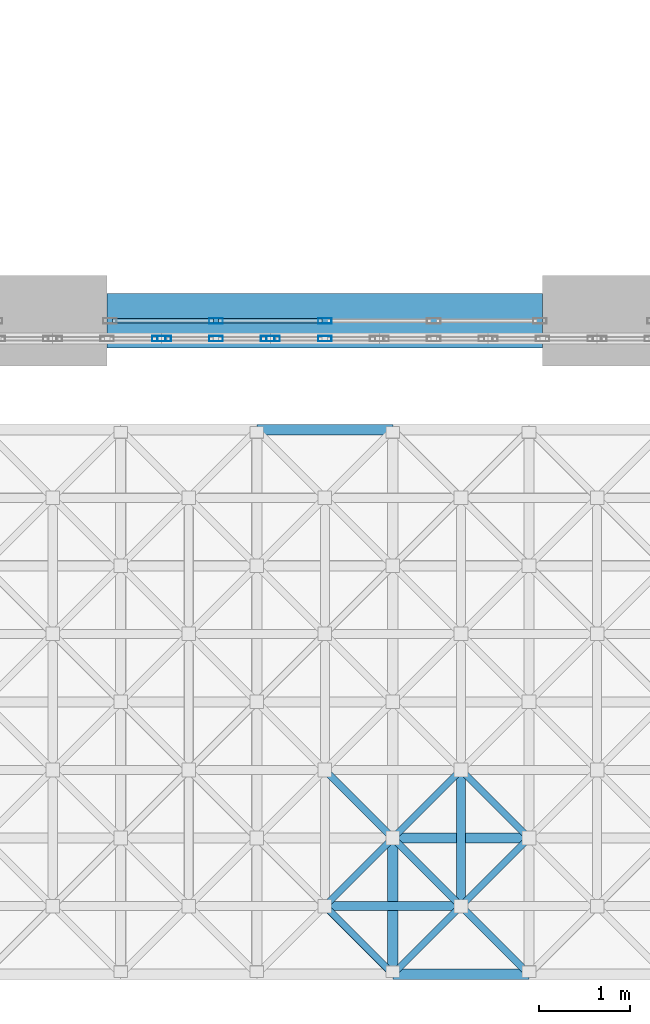
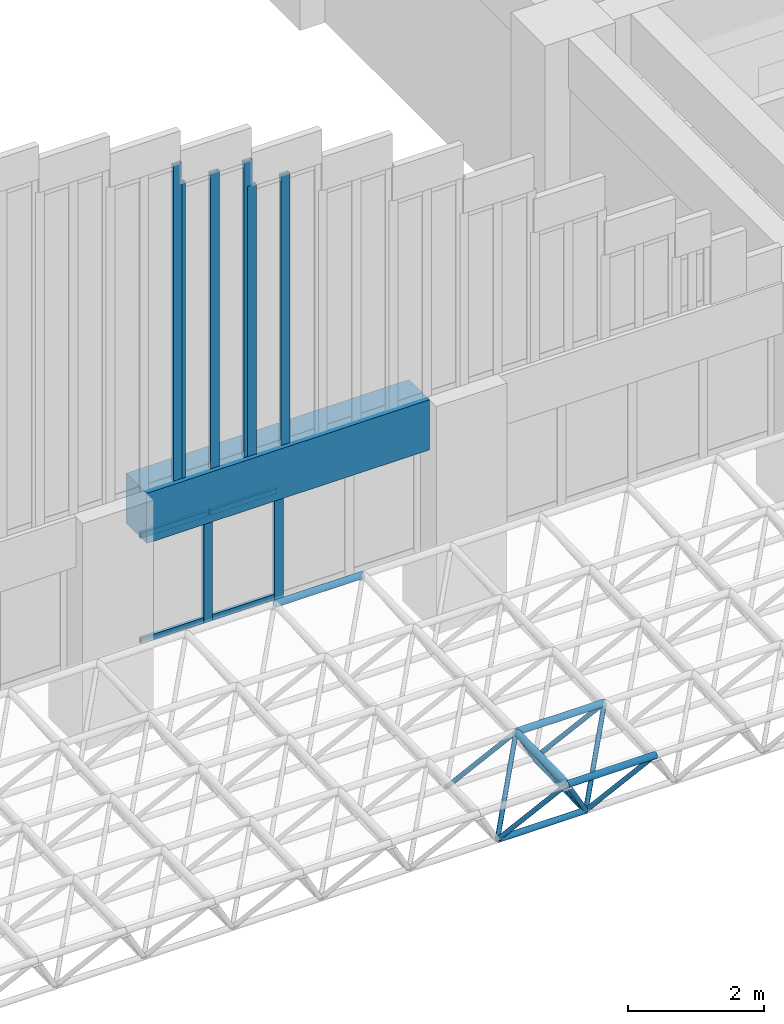
# One storey, part 16 of 103: 27 members, 1 beam, 4 elements without a shape of their own.
"""IFC4 building model written with IfcOpenShell, lengths in metres."""

from ifc_helpers import new_model, si_unit, direction, frame, origin, origin_2d, place, context, subcontext, project, spatial, rectangle, hollow_rectangle, hollow_circle, extrude, material, material_profile, profile_set, type_object, element, aggregate, save


model = new_model("IFC4")

# Units and contexts
model_context = context("Model", 3, precision=1e-05, world=origin(), true_north=direction((0.0, 1.0)))
body_context = subcontext(model_context, "Body", "Model", "MODEL_VIEW")
ifc_project = project(units=[si_unit("LENGTHUNIT", "METRE"), si_unit("AREAUNIT", "SQUARE_METRE"), si_unit("VOLUMEUNIT", "CUBIC_METRE"), si_unit("PLANEANGLEUNIT", "RADIAN"), si_unit("MASSUNIT", "GRAM", prefix="KILO")], contexts=[model_context])

# Site, building, storey
site_placement = place(None, origin())
site = spatial("IfcSite", under=ifc_project, at=site_placement, CompositionType="ELEMENT")
building_placement = place(site_placement, origin())
building = spatial("IfcBuilding", under=site, at=building_placement, Name="Laocheng Heights Fire and Rescue Headquarters", CompositionType="ELEMENT")
storey_placement = place(building_placement, frame((0.0, 0.0, 4.199951171875)))
storey = spatial("IfcBuildingStorey", under=building, at=storey_placement, Name="L01", CompositionType="ELEMENT", Elevation=4.199951171875)

# Curtain wall, members
ifc_material_1 = material(Name="Aluminium gable glazing, low-e double glazing", Category="aluminium")
curtain_wall_type_1 = type_object("IfcCurtainWallType", Name="GABLE SPANDREL GLAZED UNIT 4800 x 1990", PredefinedType="NOTDEFINED", material=ifc_material_1)
curtain_wall_1_placement = place(storey_placement, origin())
curtain_wall_1 = element("IfcCurtainWall", 1, at=curtain_wall_1_placement, inside=storey, type_object=curtain_wall_type_1, Name="Gable spandrel glazing S5", PredefinedType="NOTDEFINED")
ifc_material_2 = material(Name="Aluminium 6063-T5 extrusion", Category="aluminium")
ifc_material_profile_1 = material_profile(ifc_material_2, hollow_rectangle(XDim=0.06005859375, YDim=0.14990234375, WallThickness=0.0029296875, at=origin_2d()), Name="AL MULLION 150x60x3")
ifc_profile_set_1 = profile_set([ifc_material_profile_1], Name="Aluminium 6063-T5 extrusion")
member_type_1 = type_object("IfcMemberType", Name="AL GABLE MULLION 150x60x3", PredefinedType="MULLION", material=ifc_profile_set_1)
member_1_placement = place(storey_placement, frame((43.800048828125, 0.0, 1.199951171875), z_axis=(0.0, 0.0, 1.0), x_axis=(0.0, 1.0, 0.0)))
member_1 = element("IfcMember", 2, at=member_1_placement, type_object=member_type_1, Name="X1-D mullion 2", PredefinedType="MULLION", context=body_context, shape_type="SweptSolid", body=[
    extrude(hollow_rectangle(XDim=0.06005859375, YDim=0.14990234375, WallThickness=0.0029296875, at=origin_2d()), origin(), (0.0, 0.0, 1.0), 1.990478515625),
])
member_2_placement = place(storey_placement, frame((45.0, 0.0, 1.199951171875), z_axis=(0.0, 0.0, 1.0), x_axis=(0.0, 1.0, 0.0)))
member_2 = element("IfcMember", 3, at=member_2_placement, type_object=member_type_1, Name="X1-D mullion 3", PredefinedType="MULLION", context=body_context, shape_type="SweptSolid", body=[
    extrude(hollow_rectangle(XDim=0.06005859375, YDim=0.14990234375, WallThickness=0.0029296875, at=origin_2d()), origin(), (0.0, 0.0, 1.0), 1.990478515625),
])

# Curtain wall, member
ifc_material_3 = material(Name="Aluminium gable glazing, low-e double glazing", Category="aluminium")
curtain_wall_type_2 = type_object("IfcCurtainWallType", Name="GABLE GLAZED UNIT 1200 x 5668", PredefinedType="NOTDEFINED", material=ifc_material_3)
curtain_wall_2_placement = place(storey_placement, origin())
curtain_wall_2 = element("IfcCurtainWall", 4, at=curtain_wall_2_placement, inside=storey, type_object=curtain_wall_type_2, Name="Gable glazing S22", PredefinedType="NOTDEFINED")
member_3_placement = place(storey_placement, frame((43.169921875, -0.196533203125, 4.090576171875), z_axis=(0.0, 0.0, 1.0), x_axis=(0.0, 1.0, 0.0)))
member_3 = element("IfcMember", 5, at=member_3_placement, type_object=member_type_1, Name="X10-D mullion 3", PredefinedType="MULLION", context=body_context, shape_type="SweptSolid", body=[
    extrude(hollow_rectangle(XDim=0.06005859375, YDim=0.14990234375, WallThickness=0.0029296875, at=origin_2d()), origin(), (0.0, 0.0, 1.0), 5.66845703125),
])
aggregate(curtain_wall_2, [member_3])

# Curtain wall, members
ifc_material_4 = material(Name="Aluminium gable glazing, low-e double glazing", Category="aluminium")
curtain_wall_type_3 = type_object("IfcCurtainWallType", Name="GABLE GLAZED UNIT 1200 x 5306", PredefinedType="NOTDEFINED", material=ifc_material_4)
curtain_wall_3_placement = place(storey_placement, origin())
curtain_wall_3 = element("IfcCurtainWall", 6, at=curtain_wall_3_placement, inside=storey, type_object=curtain_wall_type_3, Name="Gable glazing S23", PredefinedType="NOTDEFINED")
member_4_placement = place(storey_placement, frame((43.22998046875, -0.196533203125, 4.090576171875), z_axis=(0.0, 0.0, 1.0), x_axis=(0.0, 1.0, 0.0)))
member_4 = element("IfcMember", 7, at=member_4_placement, type_object=member_type_1, Name="X9-D mullion 1", PredefinedType="MULLION", context=body_context, shape_type="SweptSolid", body=[
    extrude(hollow_rectangle(XDim=0.06005859375, YDim=0.14990234375, WallThickness=0.0029296875, at=origin_2d()), origin(), (0.0, 0.0, 1.0), 5.305419921875),
])
member_5_placement = place(storey_placement, frame((43.800048828125, -0.196533203125, 4.090576171875), z_axis=(0.0, 0.0, 1.0), x_axis=(0.0, 1.0, 0.0)))
member_5 = element("IfcMember", 8, at=member_5_placement, type_object=member_type_1, Name="X9-D mullion 2", PredefinedType="MULLION", context=body_context, shape_type="SweptSolid", body=[
    extrude(hollow_rectangle(XDim=0.06005859375, YDim=0.14990234375, WallThickness=0.0029296875, at=origin_2d()), origin(), (0.0, 0.0, 1.0), 5.305419921875),
])
member_6_placement = place(storey_placement, frame((44.3701171875, -0.196533203125, 4.090576171875), z_axis=(0.0, 0.0, 1.0), x_axis=(0.0, 1.0, 0.0)))
member_6 = element("IfcMember", 9, at=member_6_placement, type_object=member_type_1, Name="X9-D mullion 3", PredefinedType="MULLION", context=body_context, shape_type="SweptSolid", body=[
    extrude(hollow_rectangle(XDim=0.06005859375, YDim=0.14990234375, WallThickness=0.0029296875, at=origin_2d()), origin(), (0.0, 0.0, 1.0), 5.305419921875),
])
aggregate(curtain_wall_3, [member_4, member_5, member_6])

ifc_material_5 = material(Name="Aluminium gable glazing, low-e double glazing", Category="aluminium")
curtain_wall_type_4 = type_object("IfcCurtainWallType", Name="GABLE GLAZED UNIT 1200 x 4846", PredefinedType="NOTDEFINED", material=ifc_material_5)
curtain_wall_4_placement = place(storey_placement, origin())
curtain_wall_4 = element("IfcCurtainWall", 10, at=curtain_wall_4_placement, inside=storey, type_object=curtain_wall_type_4, Name="Gable glazing S24", PredefinedType="NOTDEFINED")
member_7_placement = place(storey_placement, frame((44.429931640625, -0.196533203125, 4.090576171875), z_axis=(0.0, 0.0, 1.0), x_axis=(0.0, 1.0, 0.0)))
member_7 = element("IfcMember", 11, at=member_7_placement, type_object=member_type_1, Name="X8-D mullion 1", PredefinedType="MULLION", context=body_context, shape_type="SweptSolid", body=[
    extrude(hollow_rectangle(XDim=0.06005859375, YDim=0.14990234375, WallThickness=0.0029296875, at=origin_2d()), origin(), (0.0, 0.0, 1.0), 4.845458984375),
])
member_8_placement = place(storey_placement, frame((45.0, -0.196533203125, 4.090576171875), z_axis=(0.0, 0.0, 1.0), x_axis=(0.0, 1.0, 0.0)))
member_8 = element("IfcMember", 12, at=member_8_placement, type_object=member_type_1, Name="X8-D mullion 2", PredefinedType="MULLION", context=body_context, shape_type="SweptSolid", body=[
    extrude(hollow_rectangle(XDim=0.06005859375, YDim=0.14990234375, WallThickness=0.0029296875, at=origin_2d()), origin(), (0.0, 0.0, 1.0), 4.845458984375),
])
aggregate(curtain_wall_4, [member_7, member_8])

# Member
ifc_material_6 = material(Name="Aluminium 6063-T5 extrusion", Category="aluminium")
ifc_material_profile_2 = material_profile(ifc_material_6, hollow_rectangle(XDim=0.050048828125, YDim=0.10009765625, WallThickness=0.0029296875, at=origin_2d()), Name="AL TRANSOM 100x50x3")
ifc_profile_set_2 = profile_set([ifc_material_profile_2], Name="Aluminium 6063-T5 extrusion")
member_type_2 = type_object("IfcMemberType", Name="AL GABLE TRANSOM 100x50x3", PredefinedType="USERDEFINED", material=ifc_profile_set_2)
member_9_placement = place(storey_placement, frame((42.659912109375, 0.0, 1.25), z_axis=(1.0, 0.0, 0.0), x_axis=(0.0, 1.0, 0.0)))
member_9 = element("IfcMember", 13, at=member_9_placement, type_object=member_type_2, Name="X1-D transom 1.1", ObjectType="TRANSOM", PredefinedType="USERDEFINED", context=body_context, shape_type="SweptSolid", body=[
    extrude(hollow_rectangle(XDim=0.050048828125, YDim=0.10009765625, WallThickness=0.0029296875, at=origin_2d()), origin(), (0.0, 0.0, 1.0), 1.110107421875),
])

member_10_placement = place(storey_placement, frame((42.659912109375, 0.0, 3.140625), z_axis=(1.0, 0.0, 0.0), x_axis=(0.0, 1.0, 0.0)))
member_10 = element("IfcMember", 14, at=member_10_placement, type_object=member_type_2, Name="X1-D transom 1.2", ObjectType="TRANSOM", PredefinedType="USERDEFINED", context=body_context, shape_type="SweptSolid", body=[
    extrude(hollow_rectangle(XDim=0.050048828125, YDim=0.10009765625, WallThickness=0.0029296875, at=origin_2d()), origin(), (0.0, 0.0, 1.0), 1.110107421875),
])

member_11_placement = place(storey_placement, frame((43.830078125, 0.0, 1.25), z_axis=(1.0, 0.0, 0.0), x_axis=(0.0, 1.0, 0.0)))
member_11 = element("IfcMember", 15, at=member_11_placement, type_object=member_type_2, Name="X1-D transom 2.1", ObjectType="TRANSOM", PredefinedType="USERDEFINED", context=body_context, shape_type="SweptSolid", body=[
    extrude(hollow_rectangle(XDim=0.050048828125, YDim=0.10009765625, WallThickness=0.0029296875, at=origin_2d()), origin(), (0.0, 0.0, 1.0), 1.139892578125),
])

member_12_placement = place(storey_placement, frame((43.830078125, 0.0, 3.140625), z_axis=(1.0, 0.0, 0.0), x_axis=(0.0, 1.0, 0.0)))
member_12 = element("IfcMember", 16, at=member_12_placement, type_object=member_type_2, Name="X1-D transom 2.2", ObjectType="TRANSOM", PredefinedType="USERDEFINED", context=body_context, shape_type="SweptSolid", body=[
    extrude(hollow_rectangle(XDim=0.050048828125, YDim=0.10009765625, WallThickness=0.0029296875, at=origin_2d()), origin(), (0.0, 0.0, 1.0), 1.139892578125),
])

aggregate(curtain_wall_1, [member_1, member_2, member_9, member_10, member_11, member_12])

# Members
ifc_material_7 = material(Name="Steel Q355B", Category="steel")
ifc_material_profile_3 = material_profile(ifc_material_7, hollow_circle(Radius=0.05078125, WallThickness=0.00390625, at=origin_2d()), Name="CHS 101.6x4")
ifc_profile_set_3 = profile_set([ifc_material_profile_3], Name="Steel Q355B")
member_type_3 = type_object("IfcMemberType", Name="APRON CANOPY BOTTOM CHORD CHS 101.6x4", PredefinedType="CHORD", material=ifc_profile_set_3)
member_13_placement = place(storey_placement, frame((45.0, -6.449951171875, 0.77099609375), z_axis=(1.0, 0.0, 0.0), x_axis=(0.0, 1.0, 0.0)))
element("IfcMember", 17, at=member_13_placement, inside=storey, type_object=member_type_3, Name="Apron canopy bottom chord AC-B082", PredefinedType="CHORD", context=body_context, shape_type="SweptSolid", body=[
    extrude(hollow_circle(Radius=0.05078125, WallThickness=0.00390625, at=origin_2d()), origin(), (0.0, 0.0, 1.0), 1.5),
])
member_14_placement = place(storey_placement, frame((46.5, -4.949951171875, 0.801025390625), z_axis=(0.0, -0.999799669399, -0.020015520725), x_axis=(1.0, 0.0, 0.0)))
element("IfcMember", 18, at=member_14_placement, inside=storey, type_object=member_type_3, Name="Apron canopy bottom chord AC-B139", PredefinedType="CHORD", context=body_context, shape_type="SweptSolid", body=[
    extrude(hollow_circle(Radius=0.05078125, WallThickness=0.00390625, at=origin_2d()), origin(), (0.0, 0.0, 1.0), 1.500244140625),
])
ifc_material_8 = material(Name="Steel Q355B", Category="steel")
ifc_material_profile_4 = material_profile(ifc_material_8, hollow_circle(Radius=0.05712890625, WallThickness=0.0048828125, at=origin_2d()), Name="CHS 114.3x5")
ifc_profile_set_4 = profile_set([ifc_material_profile_4], Name="Steel Q355B")
member_type_4 = type_object("IfcMemberType", Name="APRON CANOPY TOP CHORD CHS 114.3x5", PredefinedType="CHORD", material=ifc_profile_set_4)
for number, where, z_axis, x_axis, name in (
    (19, (44.25, -1.199951171875, 2.075927734375), (1.0, 0.0, 0.0), (0.0, 1.0, 0.0), "Apron canopy top chord AC-T016"),
    (20, (45.75, -5.699951171875, 1.986083984375), (1.0, 0.0, 0.0), (0.0, 1.0, 0.0), "Apron canopy top chord AC-T086"),
    (21, (45.75, -7.199951171875, 1.9560546875), (1.0, 0.0, 0.0), (0.0, 1.0, 0.0), "Apron canopy top chord AC-T109"),
):
    element("IfcMember", number, at=place(storey_placement, frame(where, z_axis=z_axis, x_axis=x_axis)), inside=storey, type_object=member_type_4, Name=name, PredefinedType="CHORD", context=body_context, shape_type="SweptSolid", body=[
        extrude(hollow_circle(Radius=0.05712890625, WallThickness=0.0048828125, at=origin_2d()), origin(), (0.0, 0.0, 1.0), 1.5),
    ])
member_15_placement = place(storey_placement, frame((45.75, -5.699951171875, 1.986083984375), z_axis=(0.0, -0.999799669399, -0.020015520725), x_axis=(1.0, 0.0, 0.0)))
element("IfcMember", 22, at=member_15_placement, inside=storey, type_object=member_type_4, Name="Apron canopy top chord AC-T183", PredefinedType="CHORD", context=body_context, shape_type="SweptSolid", body=[
    extrude(hollow_circle(Radius=0.05712890625, WallThickness=0.0048828125, at=origin_2d()), origin(), (0.0, 0.0, 1.0), 1.500244140625),
])
ifc_material_9 = material(Name="Steel Q355B", Category="steel")
ifc_material_profile_5 = material_profile(ifc_material_9, hollow_circle(Radius=0.0380859375, WallThickness=0.00390625, at=origin_2d()), Name="CHS 76.1x4")
ifc_profile_set_5 = profile_set([ifc_material_profile_5], Name="Steel Q355B")
member_type_5 = type_object("IfcMemberType", Name="APRON CANOPY WEB CHS 76.1x4", PredefinedType="BRACE", material=ifc_profile_set_5)
for number, where, z_axis, x_axis, name in (
    (23, (45.0, -4.949951171875, 0.801025390625), (0.471580249604, -0.471580249604, 0.745133636582), (0.707106781187, 0.707106781187, 0.0), "Apron canopy web AC-W248"),
    (24, (46.5, -4.949951171875, 0.801025390625), (-0.471580249604, -0.471580249604, 0.745133636582), (0.707106781187, -0.707106781187, 0.0), "Apron canopy web AC-W251"),
    (25, (46.5, -4.949951171875, 0.801025390625), (0.471580249604, -0.471580249604, 0.745133636582), (0.707106781187, 0.707106781187, 0.0), "Apron canopy web AC-W252"),
):
    element("IfcMember", number, at=place(storey_placement, frame(where, z_axis=z_axis, x_axis=x_axis)), inside=storey, type_object=member_type_5, Name=name, PredefinedType="BRACE", context=body_context, shape_type="SweptSolid", body=[
        extrude(hollow_circle(Radius=0.0380859375, WallThickness=0.00390625, at=origin_2d()), origin(), (0.0, 0.0, 1.0), 1.59033203125),
    ])
member_16_placement = place(storey_placement, frame((45.0, -6.449951171875, 0.77099609375), z_axis=(0.465001629625, 0.465001629625, 0.75335713237), x_axis=(-0.707106781187, 0.707106781187, 0.0)))
element("IfcMember", 26, at=member_16_placement, inside=storey, type_object=member_type_5, Name="Apron canopy web AC-W338", PredefinedType="BRACE", context=body_context, shape_type="SweptSolid", body=[
    extrude(hollow_circle(Radius=0.0380859375, WallThickness=0.00390625, at=origin_2d()), origin(), (0.0, 0.0, 1.0), 1.61279296875),
])
member_17_placement = place(storey_placement, frame((45.0, -6.449951171875, 0.77099609375), z_axis=(0.471580249604, -0.471580249604, 0.745133636582), x_axis=(0.707106781187, 0.707106781187, 0.0)))
element("IfcMember", 27, at=member_17_placement, inside=storey, type_object=member_type_5, Name="Apron canopy web AC-W340", PredefinedType="BRACE", context=body_context, shape_type="SweptSolid", body=[
    extrude(hollow_circle(Radius=0.0380859375, WallThickness=0.00390625, at=origin_2d()), origin(), (0.0, 0.0, 1.0), 1.59033203125),
])
for number, where, z_axis, x_axis, name in (
    (28, (46.5, -6.449951171875, 0.77099609375), (-0.465001629625, 0.465001629625, 0.75335713237), (-0.707106781187, -0.707106781187, 0.0), "Apron canopy web AC-W341"),
    (29, (46.5, -6.449951171875, 0.77099609375), (0.465001629625, 0.465001629625, 0.75335713237), (-0.707106781187, 0.707106781187, 0.0), "Apron canopy web AC-W342"),
):
    element("IfcMember", number, at=place(storey_placement, frame(where, z_axis=z_axis, x_axis=x_axis)), inside=storey, type_object=member_type_5, Name=name, PredefinedType="BRACE", context=body_context, shape_type="SweptSolid", body=[
        extrude(hollow_circle(Radius=0.0380859375, WallThickness=0.00390625, at=origin_2d()), origin(), (0.0, 0.0, 1.0), 1.61279296875),
    ])
for number, where, z_axis, x_axis, name in (
    (30, (46.5, -6.449951171875, 0.77099609375), (-0.471580249604, -0.471580249604, 0.745133636582), (0.707106781187, -0.707106781187, 0.0), "Apron canopy web AC-W343"),
    (31, (46.5, -6.449951171875, 0.77099609375), (0.471580249604, -0.471580249604, 0.745133636582), (0.707106781187, 0.707106781187, 0.0), "Apron canopy web AC-W344"),
):
    element("IfcMember", number, at=place(storey_placement, frame(where, z_axis=z_axis, x_axis=x_axis)), inside=storey, type_object=member_type_5, Name=name, PredefinedType="BRACE", context=body_context, shape_type="SweptSolid", body=[
        extrude(hollow_circle(Radius=0.0380859375, WallThickness=0.00390625, at=origin_2d()), origin(), (0.0, 0.0, 1.0), 1.59033203125),
    ])

# Beam
ifc_material_10 = material(Name="Concrete C50", Category="concrete")
ifc_material_profile_6 = material_profile(ifc_material_10, rectangle(XDim=0.60009765625, YDim=0.89990234375, at=origin_2d()), Name="RC BEAM 600x900 GABLE SPRING BEAM")
ifc_profile_set_6 = profile_set([ifc_material_profile_6], Name="Concrete C50")
beam_type = type_object("IfcBeamType", Name="RC BEAM 600x900 GABLE SPRING BEAM", PredefinedType="BEAM", material=ifc_profile_set_6)
beam_placement = place(storey_placement, frame((42.60009765625, 0.0, 3.640625), z_axis=(1.0, 0.0, 0.0), x_axis=(0.0, 1.0, 0.0)))
element("IfcBeam", 32, at=beam_placement, inside=storey, type_object=beam_type, Name="Gable spring beam S5", PredefinedType="BEAM", context=body_context, shape_type="SweptSolid", body=[
    extrude(rectangle(XDim=0.60009765625, YDim=0.89990234375, at=origin_2d()), origin(), (0.0, 0.0, 1.0), 4.7998046875),
])

save(model, "model.ifc")
